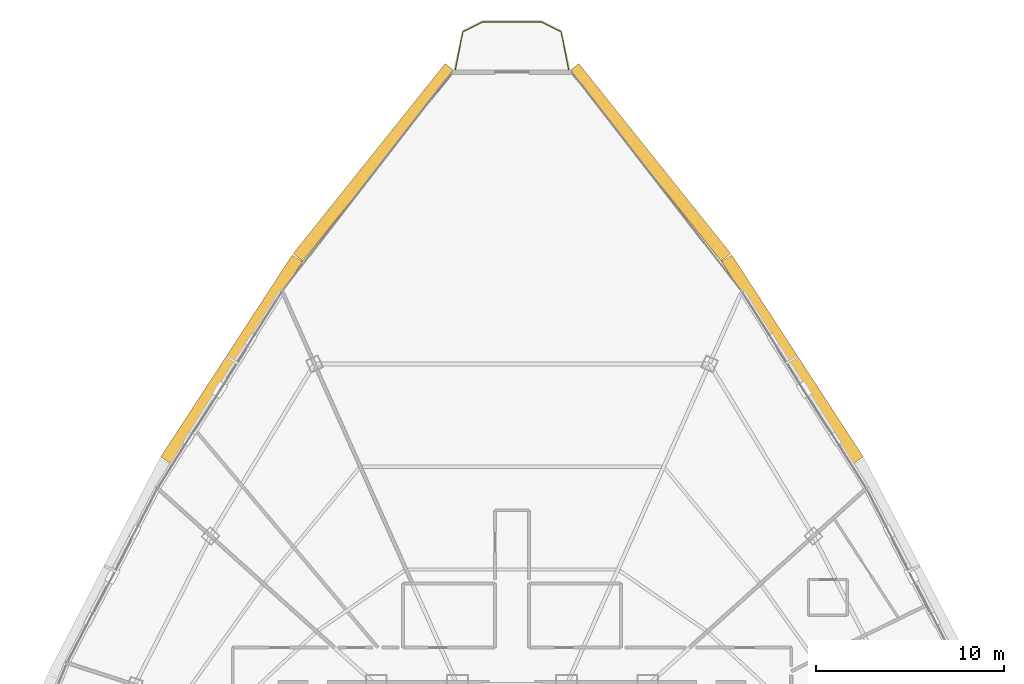
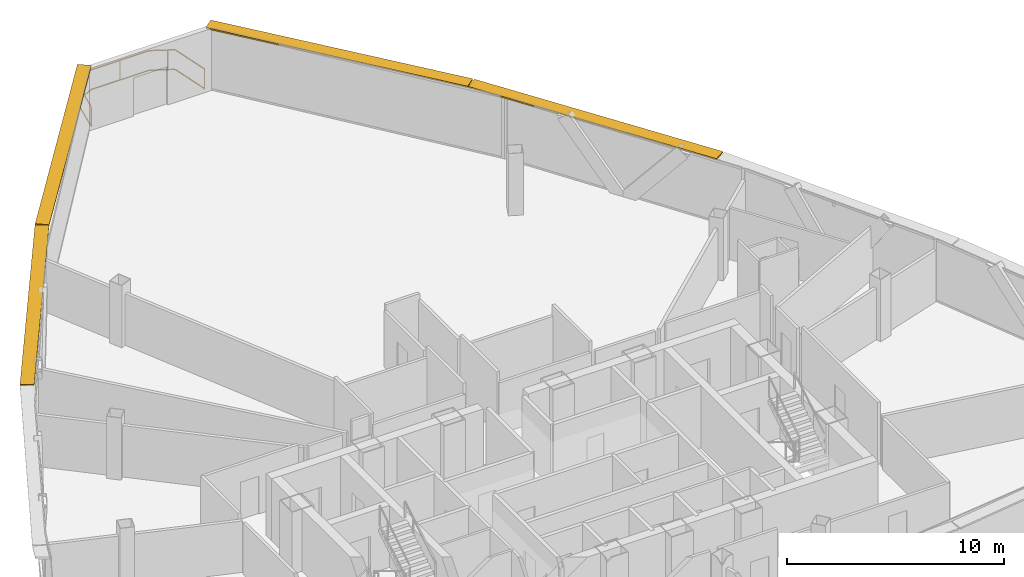
# One storey, part 33 of 33: 4 shading devices, 1 railing.
"""IFC4 building model written with IfcOpenShell, lengths in metres."""

from ifc_helpers import new_model, si_unit, direction, frame, origin, origin_2d, place, context, subcontext, project, spatial, rectangle, extrude, source, transform, mapped, material, layer, layer_set, type_object, element, save


model = new_model("IFC4")

# Units and contexts
model_context = context("Model", 3, precision=1e-05, world=origin(), true_north=direction((0.0, 1.0)))
body_context = subcontext(model_context, "Body", "Model", "MODEL_VIEW")
ifc_project = project(units=[si_unit("LENGTHUNIT", "METRE"), si_unit("AREAUNIT", "SQUARE_METRE"), si_unit("VOLUMEUNIT", "CUBIC_METRE"), si_unit("PLANEANGLEUNIT", "RADIAN"), si_unit("MASSUNIT", "GRAM", prefix="KILO"), si_unit("THERMODYNAMICTEMPERATUREUNIT", "KELVIN"), si_unit("POWERUNIT", "WATT")], contexts=[model_context])

# Site, building, storey
site_placement = place(None, origin())
site = spatial("IfcSite", under=ifc_project, at=site_placement, CompositionType="ELEMENT")
building_placement = place(site_placement, origin())
building = spatial("IfcBuilding", under=site, at=building_placement, Name="Yunzhuo Pagoda Commons", CompositionType="ELEMENT")
storey_placement = place(building_placement, frame((0.0, 0.0, 329.260009765625)))
storey = spatial("IfcBuildingStorey", under=building, at=storey_placement, Name="L82", CompositionType="ELEMENT", Elevation=329.260009765625)

# Railing
ifc_material = material(Name="Anodized aluminium 6063-T6", Category="aluminium")
railing_type = type_object("IfcRailingType", Name="RL-BAL1 Exterior Terrace & Balcony Balustrade 1150", PredefinedType="BALUSTRADE", material=ifc_material)
railing_placement = place(storey_placement, frame((51.013427734375, 72.913330078125, 0.0)))
element("IfcRailing", 1, at=railing_placement, inside=storey, type_object=railing_type, Name="L82 corner balcony balustrade V3", PredefinedType="BALUSTRADE", context=body_context, shape_type="SweptSolid", body=[
    extrude(rectangle(XDim=0.048095703125, YDim=0.048095703125, at=origin_2d()), frame((0.0, 0.0, 1.1259765625), z_axis=(-0.194200568098, 0.980961843983, 0.0), x_axis=(-0.980961843983, -0.194200568098, 0.0)), (0.0, 0.0, 1.0), 2.059326171875),
    extrude(rectangle(XDim=0.048095703125, YDim=0.048095703125, at=origin_2d()), frame((0.0, 0.0, 0.02392578125), z_axis=(-0.194200568098, 0.980961843983, 0.0), x_axis=(-0.980961843983, -0.194200568098, 0.0)), (0.0, 0.0, 1.0), 2.059326171875),
    extrude(rectangle(XDim=0.048095703125, YDim=0.048095703125, at=origin_2d()), frame((-0.39990234375, 2.02001953125, 1.1259765625), z_axis=(-0.895531310987, 0.444998506787, 0.0), x_axis=(-0.444998506787, -0.895531310987, 0.0)), (0.0, 0.0, 1.0), 1.191162109375),
    extrude(rectangle(XDim=0.048095703125, YDim=0.048095703125, at=origin_2d()), frame((-0.39990234375, 2.02001953125, 0.02392578125), z_axis=(-0.895531310987, 0.444998506787, 0.0), x_axis=(-0.444998506787, -0.895531310987, 0.0)), (0.0, 0.0, 1.0), 1.191162109375),
    extrude(rectangle(XDim=0.048095703125, YDim=0.048095703125, at=origin_2d()), frame((-1.466552734375, 2.550048828125, 1.1259765625), z_axis=(-1.0, 0.0, 0.0), x_axis=(0.0, -1.0, 0.0)), (0.0, 0.0, 1.0), 3.09375),
    extrude(rectangle(XDim=0.048095703125, YDim=0.048095703125, at=origin_2d()), frame((-1.466552734375, 2.550048828125, 0.02392578125), z_axis=(-1.0, 0.0, 0.0), x_axis=(0.0, -1.0, 0.0)), (0.0, 0.0, 1.0), 3.09375),
    extrude(rectangle(XDim=0.048095703125, YDim=0.048095703125, at=origin_2d()), frame((-4.560302734375, 2.550048828125, 1.1259765625), z_axis=(-0.895531310987, -0.444998506787, 0.0), x_axis=(0.444998506787, -0.895531310987, 0.0)), (0.0, 0.0, 1.0), 1.191162109375),
    extrude(rectangle(XDim=0.048095703125, YDim=0.048095703125, at=origin_2d()), frame((-4.560302734375, 2.550048828125, 0.02392578125), z_axis=(-0.895531310987, -0.444998506787, 0.0), x_axis=(0.444998506787, -0.895531310987, 0.0)), (0.0, 0.0, 1.0), 1.191162109375),
    extrude(rectangle(XDim=0.048095703125, YDim=0.048095703125, at=origin_2d()), frame((-5.626953125, 2.02001953125, 1.1259765625), z_axis=(-0.194200568098, -0.980961843983, 0.0), x_axis=(0.980961843983, -0.194200568098, 0.0)), (0.0, 0.0, 1.0), 2.059326171875),
    extrude(rectangle(XDim=0.048095703125, YDim=0.048095703125, at=origin_2d()), frame((-5.626953125, 2.02001953125, 0.02392578125), z_axis=(-0.194200568098, -0.980961843983, 0.0), x_axis=(0.980961843983, -0.194200568098, 0.0)), (0.0, 0.0, 1.0), 2.059326171875),
    extrude(rectangle(XDim=0.0419921875, YDim=0.0419921875, at=origin_2d()), origin(), (0.0, 0.0, 1.0), 1.101806640625),
    extrude(rectangle(XDim=0.0419921875, YDim=0.0419921875, at=origin_2d()), frame((-0.705078125, 2.171630859375, 0.0)), (0.0, 0.0, 1.0), 1.101806640625),
    extrude(rectangle(XDim=0.0419921875, YDim=0.0419921875, at=origin_2d()), frame((-3.016357421875, 2.550048828125, 0.0)), (0.0, 0.0, 1.0), 1.101806640625),
    extrude(rectangle(XDim=0.0419921875, YDim=0.0419921875, at=origin_2d()), frame((-5.326904296875, 2.169189453125, 0.0)), (0.0, 0.0, 1.0), 1.101806640625),
    extrude(rectangle(XDim=0.0419921875, YDim=0.0419921875, at=origin_2d()), frame((-6.02685546875, 0.0, 0.0)), (0.0, 0.0, 1.0), 1.101806640625),
])

# Shading devices
ifc_layer = layer(ifc_material, 0.080078125)
ifc_layer_set = layer_set([ifc_layer], Name="Anodized aluminium 6063-T6")
shading_device_type = type_object("IfcShadingDeviceType", Name="SH-SUN1 Pagoda Horizontal Sunshade Eave 650", PredefinedType="USERDEFINED", material=ifc_layer_set)
shared_shape_1 = source(origin(), body_context, "Body", "SweptSolid", [
    extrude(rectangle(XDim=12.942138671875, YDim=0.64990234375, at=origin_2d()), origin(), (0.0, 0.0, 1.0), 0.080078125),
])
for number, where, z_axis, x_axis, name in (
    (2, (55.334716796875, 67.99365234375, 3.409912109375), (0.0, 0.0, 1.0), (-0.624520471688, 0.781008438138, 0.0), "L82 horizontal pagoda sunshade eave F2.4"),
    (3, (40.665283203125, 67.99365234375, 3.409912109375), (0.0, 0.0, 1.0), (-0.624520471688, -0.781008438138, 0.0), "L82 horizontal pagoda sunshade eave F3.1"),
):
    element("IfcShadingDevice", number, at=place(storey_placement, frame(where, z_axis=z_axis, x_axis=x_axis)), inside=storey, type_object=shading_device_type, Name=name, ObjectType="SUNSHADE", PredefinedType="USERDEFINED", context=body_context, shape_type="MappedRepresentation", body=[
        mapped(shared_shape_1, transform((0.0, 0.0, 0.0), scale=1.0)),
    ])
shared_shape_2 = source(origin(), body_context, "Body", "SweptSolid", [
    extrude(rectangle(XDim=12.8193359375, YDim=0.64990234375, at=origin_2d()), origin(), (0.0, 0.0, 1.0), 0.080078125),
])
for number, where, z_axis, x_axis, name in (
    (4, (62.911865234375, 57.517822265625, 3.409912109375), (0.0, 0.0, 1.0), (-0.545853380833, 0.837880711458, 0.0), "L82 horizontal pagoda sunshade eave F2.3"),
    (5, (33.088134765625, 57.517822265625, 3.409912109375), (0.0, 0.0, 1.0), (-0.545853380833, -0.837880711458, 0.0), "L82 horizontal pagoda sunshade eave F3.2"),
):
    element("IfcShadingDevice", number, at=place(storey_placement, frame(where, z_axis=z_axis, x_axis=x_axis)), inside=storey, type_object=shading_device_type, Name=name, ObjectType="SUNSHADE", PredefinedType="USERDEFINED", context=body_context, shape_type="MappedRepresentation", body=[
        mapped(shared_shape_2, transform((0.0, 0.0, 0.0), scale=1.0)),
    ])

save(model, "model.ifc")
